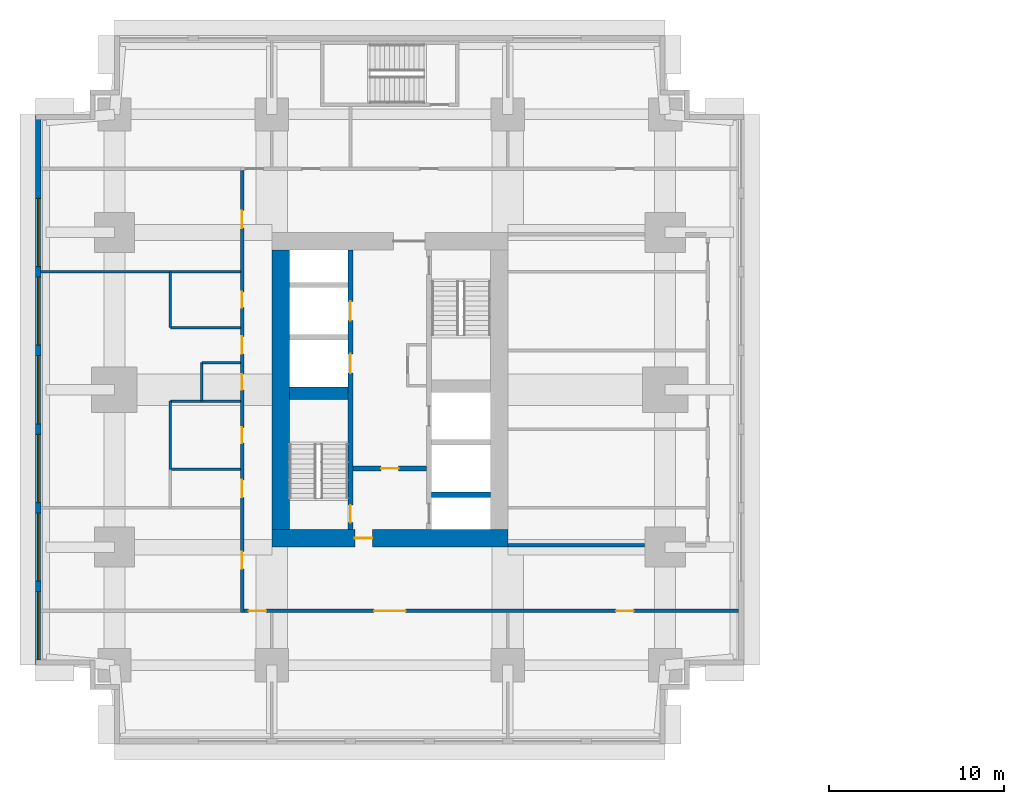
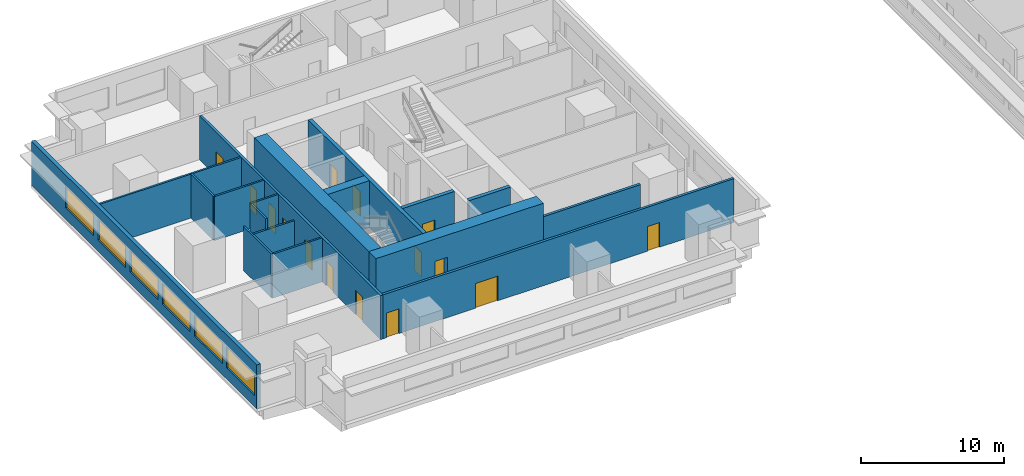
# One storey, part 3 of 11: 18 walls, 15 doors, 6 windows, 21 openings.
"""IFC4 building model written with IfcOpenShell, lengths in metres."""

import ifcopenshell
import ifcopenshell.guid

model = None  # the IFC model being written
_history = None  # IfcOwnerHistory: only IFC2X3 demands one
_inside = {}  # id of a spatial element -> (the spatial element, [elements in it])
_under = {}  # id of a project, library or spatial element -> (it, [spatial elements below it])
_declared = {}  # id of a project -> (the project, [libraries it declares])
_typed = {}  # id of a type object -> (the type object, [elements of that type])
_made_of = {}  # id of a material, layer set ... -> (it, [elements and type objects made of it])


def new_model(schema):
    """Start an empty IFC model of exactly this schema.

    Asked for "IFC4X3", IfcOpenShell would pick the latest addendum, in which some entities
    have other attributes; the version numbers below select the first issue.
    IFC2X3 requires an IfcOwnerHistory on every rooted entity: one is made here for all.
    """
    global model, _history
    if schema == "IFC4X3":
        model = ifcopenshell.file(schema_version=(4, 3, 0, 0))
    else:
        model = ifcopenshell.file(schema=schema)
    _inside.clear()
    _under.clear()
    _declared.clear()
    _typed.clear()
    _made_of.clear()
    _history = None
    if model.schema == "IFC2X3":
        org = make("IfcOrganization", Name="unknown")
        user = make(
            "IfcPersonAndOrganization",
            ThePerson=make("IfcPerson", FamilyName="unknown"),
            TheOrganization=org,
        )
        app = make(
            "IfcApplication",
            ApplicationDeveloper=org,
            Version="unknown",
            ApplicationFullName="unknown",
            ApplicationIdentifier="unknown",
        )
        _history = make(
            "IfcOwnerHistory",
            OwningUser=user,
            OwningApplication=app,
            ChangeAction="ADDED",
            CreationDate=0,
        )
    return model


def make(cls, **values):
    """One entity of the class cls with the attributes given. An attribute that is None is left unset."""
    return model.create_entity(
        cls, **{name: value for name, value in values.items() if value is not None}
    )


def rooted(cls, **values):
    """An entity with a GlobalId (a new one), such as an element, a storey or a relation."""
    return make(cls, GlobalId=ifcopenshell.guid.new(), OwnerHistory=_history, **values)


def si_unit(unit_type, name, prefix=None):
    """IfcSIUnit, for example si_unit("LENGTHUNIT", "METRE", prefix="MILLI")."""
    return make("IfcSIUnit", UnitType=unit_type, Prefix=prefix, Name=name)


def assignment(units):
    """IfcUnitAssignment: the units of a project."""
    return None if units is None else make("IfcUnitAssignment", Units=units)


def point(xyz):
    """IfcCartesianPoint."""
    return None if xyz is None else make("IfcCartesianPoint", Coordinates=xyz)


def direction(xyz):
    """IfcDirection."""
    return None if xyz is None else make("IfcDirection", DirectionRatios=xyz)


def frame(location, z_axis=None, x_axis=None):
    """IfcAxis2Placement3D, a coordinate frame: its origin and axes. An axis left out is left unset."""
    return make(
        "IfcAxis2Placement3D",
        Location=point(location),
        Axis=direction(z_axis),
        RefDirection=direction(x_axis),
    )


def frame_2d(location, x_axis=None):
    """IfcAxis2Placement2D, a coordinate frame in the plane: its origin and x axis."""
    return make(
        "IfcAxis2Placement2D", Location=point(location), RefDirection=direction(x_axis)
    )


def origin():
    """The frame at (0, 0, 0) with its axes left unset."""
    return frame((0.0, 0.0, 0.0))


def place(relative_to, where):
    """IfcLocalPlacement: puts the frame where relative to a parent placement (None: the world)."""
    return make(
        "IfcLocalPlacement", PlacementRelTo=relative_to, RelativePlacement=where
    )


def context(
    kind, dimensions, precision=None, world=None, true_north=None, identifier=None
):
    """IfcGeometricRepresentationContext, for example the 3D "Model" context."""
    return make(
        "IfcGeometricRepresentationContext",
        ContextIdentifier=identifier,
        ContextType=kind,
        CoordinateSpaceDimension=dimensions,
        Precision=precision,
        WorldCoordinateSystem=world,
        TrueNorth=true_north,
    )


def subcontext(parent, identifier, kind, view, scale=None):
    """IfcGeometricRepresentationSubContext, for example "Body" below "Model"."""
    return make(
        "IfcGeometricRepresentationSubContext",
        ContextIdentifier=identifier,
        ContextType=kind,
        ParentContext=parent,
        TargetScale=scale,
        TargetView=view,
    )


def project(units=None, contexts=None):
    """IfcProject with its units and contexts."""
    return rooted(
        "IfcProject",
        Name="project",
        RepresentationContexts=contexts,
        UnitsInContext=assignment(units),
    )


def spatial(cls, under=None, at=None, **own):
    """A site, building, storey or space (cls), placed at a placement, below another one or the project."""
    s = rooted(cls, ObjectPlacement=at, **own)
    if under is not None:
        _under.setdefault(under.id(), (under, []))[1].append(s)
    return s


def profile(cls, at=None, kind="AREA", **sizes):
    """A parametric profile (cls). Its sizes go by their IFC names, for example OverallWidth=200.0."""
    return make(cls, ProfileType=kind, Position=at, **sizes)


def rectangle(**sizes):
    """IfcRectangleProfileDef."""
    return profile("IfcRectangleProfileDef", **sizes)


def extrude(swept, where, along, depth):
    """IfcExtrudedAreaSolid: the profile swept, set in the frame where, extruded along a direction by depth."""
    return make(
        "IfcExtrudedAreaSolid",
        SweptArea=swept,
        Position=where,
        ExtrudedDirection=direction(along),
        Depth=depth,
    )


def shape(context_of_items, identifier, shape_type, items):
    """IfcShapeRepresentation: the items that make up one representation, for example the "Body"."""
    return make(
        "IfcShapeRepresentation",
        ContextOfItems=context_of_items,
        RepresentationIdentifier=identifier,
        RepresentationType=shape_type,
        Items=items,
    )


def material(Name=None, Category=None):
    """IfcMaterial."""
    return make("IfcMaterial", Name=Name, Category=Category)


def layer(
    of_material, thickness, ventilated=None, Name=None, Category=None, Priority=None
):
    """IfcMaterialLayer: one layer of a wall or slab, of a material (None: an air gap)."""
    return make(
        "IfcMaterialLayer",
        Material=of_material,
        LayerThickness=thickness,
        IsVentilated=ventilated,
        Name=Name,
        Category=Category,
        Priority=Priority,
    )


def layer_set(layers, Name=None):
    """IfcMaterialLayerSet."""
    return make("IfcMaterialLayerSet", MaterialLayers=layers, LayerSetName=Name)


def made_of(thing, what):
    """Note that an element or type object is made of a material, layer set ...; save() writes the relation."""
    if what is not None:
        _made_of.setdefault(what.id(), (what, []))[1].append(thing)
    return thing


def type_object(cls, material=None, **own):
    """A type object (cls), such as IfcWallType, which elements share."""
    return made_of(rooted(cls, **own), material)


def element(
    cls,
    number,
    at=None,
    inside=None,
    cuts=None,
    type_object=None,
    material=None,
    context=None,
    identifier="Body",
    shape_type=None,
    held_by="IfcProductDefinitionShape",
    body=None,
    shapes=None,
    **own,
):
    """One element of the class cls, such as IfcWall. Its Tag is "e" and its number.

    at: its placement. inside: the storey or other place that contains it. cuts: it is an
    opening in that element (IfcRelVoidsElement). A single representation is given by context,
    identifier, shape_type and body (its items); several are given by shapes. held_by: the class
    of the entity that holds the representations. save() writes the other relations.
    """
    e = rooted(cls, Tag="e%d" % number, ObjectPlacement=at, **own)
    if body is not None:
        shapes = [shape(context, identifier, shape_type, body)]
    if shapes is not None:
        e.Representation = make(held_by, Representations=shapes)
    if inside is not None:
        _inside.setdefault(inside.id(), (inside, []))[1].append(e)
    if cuts is not None:
        rooted(
            "IfcRelVoidsElement", RelatingBuildingElement=cuts, RelatedOpeningElement=e
        )
    if type_object is not None:
        _typed.setdefault(type_object.id(), (type_object, []))[1].append(e)
    return made_of(e, material)


def fill(opening, filler):
    """IfcRelFillsElement: the door or window that sits in an opening."""
    return rooted(
        "IfcRelFillsElement",
        RelatingOpeningElement=opening,
        RelatedBuildingElement=filler,
    )


def aggregate(whole, parts):
    """IfcRelAggregates: a whole, such as a stair, and the parts it consists of."""
    return rooted("IfcRelAggregates", RelatingObject=whole, RelatedObjects=parts)


def save(model, path):
    """Write the relations noted so far, then the file.

    IfcRelAggregates (storeys below a building ...), IfcRelContainedInSpatialStructure (elements
    in a storey), IfcRelDefinesByType, IfcRelAssociatesMaterial and IfcRelDeclares: one each for
    every whole, place, type object, material and project.
    """
    for whole, parts in _under.values():
        aggregate(whole, parts)
    for where, things in _inside.values():
        rooted(
            "IfcRelContainedInSpatialStructure",
            RelatedElements=things,
            RelatingStructure=where,
        )
    for kind, things in _typed.values():
        rooted("IfcRelDefinesByType", RelatedObjects=things, RelatingType=kind)
    for what, things in _made_of.values():
        rooted("IfcRelAssociatesMaterial", RelatedObjects=things, RelatingMaterial=what)
    for by, libraries in _declared.values():
        rooted("IfcRelDeclares", RelatingContext=by, RelatedDefinitions=libraries)
    model.write(path)


model = new_model("IFC4")

# Units and contexts
model_context = context("Model", 3, precision=1e-05, world=origin(), true_north=direction((0.0, 1.0)))
body_context = subcontext(model_context, "Body", "Model", "MODEL_VIEW")
ifc_project = project(units=[si_unit("LENGTHUNIT", "METRE"), si_unit("AREAUNIT", "SQUARE_METRE"), si_unit("VOLUMEUNIT", "CUBIC_METRE"), si_unit("PLANEANGLEUNIT", "RADIAN"), si_unit("MASSUNIT", "GRAM", prefix="KILO")], contexts=[model_context])

# Site, building, storey
site_placement = place(None, origin())
site = spatial("IfcSite", under=ifc_project, at=site_placement, CompositionType="ELEMENT")
building_placement = place(site_placement, origin())
building = spatial("IfcBuilding", under=site, at=building_placement, Name="Namib Vertical Campus", CompositionType="ELEMENT")
storey_placement = place(building_placement, frame((0.0, 0.0, 93.0)))
storey = spatial("IfcBuildingStorey", under=building, at=storey_placement, Name="L21", CompositionType="ELEMENT", Elevation=93.0)

# Wall, openings, doors
ifc_material_1 = material(Name="Concrete C60/75", Category="concrete")
ifc_layer_1 = layer(ifc_material_1, 0.300048828125)
ifc_layer_set_1 = layer_set([ifc_layer_1], Name="Concrete C60/75")
wall_type_1 = type_object("IfcWallType", Name="Core inner wall 300", PredefinedType="SHEAR", material=ifc_layer_set_1)
wall_1_placement = place(storey_placement, frame((18.0, 12.25, 0.0), z_axis=(0.0, 0.0, 1.0), x_axis=(0.0, 1.0, 0.0)))
wall_1 = element("IfcWall", 1, at=wall_1_placement, inside=storey, type_object=wall_type_1, Name="Core inner wall A L21 W1", PredefinedType="SHEAR", context=body_context, shape_type="SweptSolid", body=[
    extrude(rectangle(XDim=16.0, YDim=0.300048828125, at=frame_2d((8.0, 0.0))), origin(), (0.0, 0.0, 1.0), 4.0),
])
opening_1_placement = place(wall_1_placement, frame((0.39990234375, 0.0, 0.0)))
opening_1 = element("IfcOpeningElement", 2, at=opening_1_placement, cuts=wall_1, Name="Opening FD1", PredefinedType="OPENING", context=body_context, shape_type="SweptSolid", body=[
    extrude(rectangle(XDim=1.0, YDim=2.10009765625, at=frame_2d((0.5, 1.050048828125))), frame((0.0, 0.159912109375, 0.0), z_axis=(0.0, -1.0, 0.0), x_axis=(1.0, 0.0, 0.0)), (0.0, 0.0, 1.0), 0.320068359375),
])
opening_2_placement = place(wall_1_placement, frame((8.949951171875, 0.0, 0.0)))
opening_2 = element("IfcOpeningElement", 3, at=opening_2_placement, cuts=wall_1, Name="Opening LD1", PredefinedType="OPENING", context=body_context, shape_type="SweptSolid", body=[
    extrude(rectangle(XDim=1.10009765625, YDim=2.10009765625, at=frame_2d((0.550048828125, 1.050048828125))), frame((0.0, 0.159912109375, 0.0), z_axis=(0.0, -1.0, 0.0), x_axis=(1.0, 0.0, 0.0)), (0.0, 0.0, 1.0), 0.320068359375),
])
opening_3_placement = place(wall_1_placement, frame((11.949951171875, 0.0, 0.0)))
opening_3 = element("IfcOpeningElement", 4, at=opening_3_placement, cuts=wall_1, Name="Opening LD1", PredefinedType="OPENING", context=body_context, shape_type="SweptSolid", body=[
    extrude(rectangle(XDim=1.10009765625, YDim=2.10009765625, at=frame_2d((0.550048828125, 1.050048828125))), frame((0.0, 0.159912109375, 0.0), z_axis=(0.0, -1.0, 0.0), x_axis=(1.0, 0.0, 0.0)), (0.0, 0.0, 1.0), 0.320068359375),
])
ifc_material_2 = material(Name="Steel fire door", Category="steel")
door_type_1 = type_object("IfcDoorType", Name="Fire door 1000x2100", OperationType="SINGLE_SWING_RIGHT", PredefinedType="DOOR", material=ifc_material_2)
door_1_placement = place(opening_1_placement, origin())
door_1 = element("IfcDoor", 5, at=door_1_placement, inside=storey, type_object=door_type_1, Name="Stair door FD1 A L21 S1", OperationType="SINGLE_SWING_LEFT", OverallHeight=2.10009765625, OverallWidth=1.0, PredefinedType="DOOR", context=body_context, shape_type="SweptSolid", body=[
    extrude(rectangle(XDim=1.0, YDim=2.10009765625, at=frame_2d((0.5, 1.050048828125))), frame((0.0, 0.02490234375, 0.0), z_axis=(0.0, -1.0, 0.0), x_axis=(1.0, 0.0, 0.0)), (0.0, 0.0, 1.0), 0.050048828125),
])
fill(opening_1, door_1)
ifc_material_3 = material(Name="Stainless steel lift door", Category="steel")
door_type_2 = type_object("IfcDoorType", Name="Lift landing door 1100x2100", OperationType="DOUBLE_DOOR_SLIDING", PredefinedType="DOOR", material=ifc_material_3)
door_2_placement = place(opening_2_placement, origin())
door_2 = element("IfcDoor", 6, at=door_2_placement, inside=storey, type_object=door_type_2, Name="Lift landing door LD1 A-P1 L21", OperationType="DOUBLE_DOOR_SLIDING", OverallHeight=2.10009765625, OverallWidth=1.10009765625, PredefinedType="DOOR", context=body_context, shape_type="SweptSolid", body=[
    extrude(rectangle(XDim=1.10009765625, YDim=2.10009765625, at=frame_2d((0.550048828125, 1.050048828125))), frame((0.0, 0.02490234375, 0.0), z_axis=(0.0, -1.0, 0.0), x_axis=(1.0, 0.0, 0.0)), (0.0, 0.0, 1.0), 0.050048828125),
])
fill(opening_2, door_2)
door_3_placement = place(opening_3_placement, origin())
door_3 = element("IfcDoor", 7, at=door_3_placement, inside=storey, type_object=door_type_2, Name="Lift landing door LD1 A-P2 L21", OperationType="DOUBLE_DOOR_SLIDING", OverallHeight=2.10009765625, OverallWidth=1.10009765625, PredefinedType="DOOR", context=body_context, shape_type="SweptSolid", body=[
    extrude(rectangle(XDim=1.10009765625, YDim=2.10009765625, at=frame_2d((0.550048828125, 1.050048828125))), frame((0.0, 0.02490234375, 0.0), z_axis=(0.0, -1.0, 0.0), x_axis=(1.0, 0.0, 0.0)), (0.0, 0.0, 1.0), 0.050048828125),
])
fill(opening_3, door_3)

# Wall, opening, door
wall_2_placement = place(storey_placement, frame((18.14990234375, 15.75, 0.0), z_axis=(0.0, 0.0, 1.0), x_axis=(1.0, 0.0, 0.0)))
wall_2 = element("IfcWall", 8, at=wall_2_placement, inside=storey, type_object=wall_type_1, Name="Core inner wall A L21 W4", PredefinedType="SHEAR", context=body_context, shape_type="SweptSolid", body=[
    extrude(rectangle(XDim=4.2001953125, YDim=0.300048828125, at=frame_2d((2.10009765625, 0.0))), origin(), (0.0, 0.0, 1.0), 4.0),
])
opening_4_placement = place(wall_2_placement, frame((1.60009765625, 0.0, 0.0)))
opening_4 = element("IfcOpeningElement", 9, at=opening_4_placement, cuts=wall_2, Name="Opening FD5", PredefinedType="OPENING", context=body_context, shape_type="SweptSolid", body=[
    extrude(rectangle(XDim=1.0, YDim=2.10009765625, at=frame_2d((0.5, 1.050048828125))), frame((0.0, 0.159912109375, 0.0), z_axis=(0.0, -1.0, 0.0), x_axis=(1.0, 0.0, 0.0)), (0.0, 0.0, 1.0), 0.320068359375),
])
ifc_material_4 = material(Name="Steel fire door", Category="steel")
door_type_3 = type_object("IfcDoorType", Name="Fire door 1000x2100 120 min", OperationType="SINGLE_SWING_RIGHT", PredefinedType="DOOR", material=ifc_material_4)
door_4_placement = place(opening_4_placement, frame((1.0, 0.0, 0.0), z_axis=(0.0, 0.0, 1.0), x_axis=(-1.0, 0.0, 0.0)))
door_4 = element("IfcDoor", 10, at=door_4_placement, inside=storey, type_object=door_type_3, Name="Lobby door FD5 A L21", OperationType="SINGLE_SWING_RIGHT", OverallHeight=2.10009765625, OverallWidth=1.0, PredefinedType="DOOR", context=body_context, shape_type="SweptSolid", body=[
    extrude(rectangle(XDim=1.0, YDim=2.10009765625, at=frame_2d((0.5, 1.050048828125))), frame((0.0, 0.02490234375, 0.0), z_axis=(0.0, -1.0, 0.0), x_axis=(1.0, 0.0, 0.0)), (0.0, 0.0, 1.0), 0.050048828125),
])
fill(opening_4, door_4)

# Walls
wall_3_placement = place(storey_placement, frame((22.64990234375, 14.25, 0.0), z_axis=(0.0, 0.0, 1.0), x_axis=(1.0, 0.0, 0.0)))
element("IfcWall", 11, at=wall_3_placement, inside=storey, type_object=wall_type_1, Name="Core inner wall A L21 W5", PredefinedType="SHEAR", context=body_context, shape_type="SweptSolid", body=[
    extrude(rectangle(XDim=3.35009765625, YDim=0.300048828125, at=frame_2d((1.675048828125, 0.0))), origin(), (0.0, 0.0, 1.0), 4.0),
])
ifc_material_5 = material(Name="Concrete C60/75", Category="concrete")
ifc_layer_2 = layer(ifc_material_5, 0.699951171875)
ifc_layer_set_2 = layer_set([ifc_layer_2], Name="Concrete C60/75")
wall_type_2 = type_object("IfcWallType", Name="Core shear wall 700", PredefinedType="SHEAR", material=ifc_layer_set_2)
wall_4_placement = place(storey_placement, frame((14.5, 20.050048828125, 0.0), z_axis=(0.0, 0.0, 1.0), x_axis=(1.0, 0.0, 0.0)))
element("IfcWall", 12, at=wall_4_placement, inside=storey, type_object=wall_type_2, Name="Core shear wall A L21 W3", PredefinedType="SHEAR", context=body_context, shape_type="SweptSolid", body=[
    extrude(rectangle(XDim=3.35009765625, YDim=0.699951171875, at=frame_2d((1.675048828125, 0.0))), origin(), (0.0, 0.0, 1.0), 4.0),
])

# Wall, opening, door
ifc_material_6 = material(Name="Concrete C60/75", Category="concrete")
ifc_layer_3 = layer(ifc_material_6, 1.0)
ifc_layer_set_3 = layer_set([ifc_layer_3], Name="Concrete C60/75")
wall_type_3 = type_object("IfcWallType", Name="Core wall 1000", PredefinedType="SHEAR", material=ifc_layer_set_3)
wall_5_placement = place(storey_placement, frame((13.5, 11.75, 0.0), z_axis=(0.0, 0.0, 1.0), x_axis=(1.0, 0.0, 0.0)))
wall_5 = element("IfcWall", 13, at=wall_5_placement, inside=storey, type_object=wall_type_3, Name="Core wall A L21 1", PredefinedType="SHEAR", context=body_context, shape_type="SweptSolid", body=[
    extrude(rectangle(XDim=13.5, YDim=1.0, at=frame_2d((6.75, 0.0))), origin(), (0.0, 0.0, 1.0), 4.0),
])
opening_5_placement = place(wall_5_placement, frame((4.75, 0.0, 0.0)))
opening_5 = element("IfcOpeningElement", 14, at=opening_5_placement, cuts=wall_5, Name="Opening FD5", PredefinedType="OPENING", context=body_context, shape_type="SweptSolid", body=[
    extrude(rectangle(XDim=1.0, YDim=2.10009765625, at=frame_2d((0.5, 1.050048828125))), frame((0.0, 0.510009765625, 0.0), z_axis=(0.0, -1.0, 0.0), x_axis=(1.0, 0.0, 0.0)), (0.0, 0.0, 1.0), 1.02001953125),
])
door_5_placement = place(opening_5_placement, origin())
door_5 = element("IfcDoor", 15, at=door_5_placement, inside=storey, type_object=door_type_3, Name="Firefighting lobby door FD5 A L21", OperationType="SINGLE_SWING_LEFT", OverallHeight=2.10009765625, OverallWidth=1.0, PredefinedType="DOOR", context=body_context, shape_type="SweptSolid", body=[
    extrude(rectangle(XDim=1.0, YDim=2.10009765625, at=frame_2d((0.5, 1.050048828125))), frame((0.0, 0.02490234375, 0.0), z_axis=(0.0, -1.0, 0.0), x_axis=(1.0, 0.0, 0.0)), (0.0, 0.0, 1.0), 0.050048828125),
])
fill(opening_5, door_5)

# Wall
wall_6_placement = place(storey_placement, frame((14.0, 28.25, 0.0), z_axis=(0.0, 0.0, 1.0), x_axis=(0.0, -1.0, 0.0)))
element("IfcWall", 16, at=wall_6_placement, inside=storey, type_object=wall_type_3, Name="Core wall A L21 4", PredefinedType="SHEAR", context=body_context, shape_type="SweptSolid", body=[
    extrude(rectangle(XDim=16.0, YDim=1.0, at=frame_2d((8.0, 0.0))), origin(), (0.0, 0.0, 1.0), 4.0),
])

# Wall, openings, doors
ifc_material_7 = material(Name="Concrete masonry", Category="masonry")
ifc_layer_4 = layer(ifc_material_7, 0.199951171875)
ifc_layer_set_4 = layer_set([ifc_layer_4], Name="Corridor wall 200")
wall_type_4 = type_object("IfcWallType", Name="Corridor wall 200", PredefinedType="SOLIDWALL", material=ifc_layer_set_4)
wall_7_placement = place(storey_placement, frame((11.89990234375, 7.60009765625, 0.0), z_axis=(0.0, 0.0, 1.0), x_axis=(1.0, 0.0, 0.0)))
wall_7 = element("IfcWall", 17, at=wall_7_placement, inside=storey, type_object=wall_type_4, Name="Corridor wall A L21 CS", PredefinedType="SOLIDWALL", context=body_context, shape_type="SweptSolid", body=[
    extrude(rectangle(XDim=28.300048828125, YDim=0.199951171875, at=frame_2d((14.14990234375, 0.0))), origin(), (0.0, 0.0, 1.0), 3.75),
])
opening_6_placement = place(wall_7_placement, frame((0.27490234375, 0.0, 0.0)))
opening_6 = element("IfcOpeningElement", 18, at=opening_6_placement, cuts=wall_7, Name="Opening CD1", PredefinedType="OPENING", context=body_context, shape_type="SweptSolid", body=[
    extrude(rectangle(XDim=1.0, YDim=2.10009765625, at=frame_2d((0.5, 1.050048828125))), frame((0.0, 0.10986328125, 0.0), z_axis=(0.0, -1.0, 0.0), x_axis=(1.0, 0.0, 0.0)), (0.0, 0.0, 1.0), 0.219970703125),
])
opening_7_placement = place(wall_7_placement, frame((7.449951171875, 0.0, 0.0)))
opening_7 = element("IfcOpeningElement", 19, at=opening_7_placement, cuts=wall_7, Name="Opening CD2", PredefinedType="OPENING", context=body_context, shape_type="SweptSolid", body=[
    extrude(rectangle(XDim=1.800048828125, YDim=2.10009765625, at=frame_2d((0.89990234375, 1.050048828125))), frame((0.0, 0.10986328125, 0.0), z_axis=(0.0, -1.0, 0.0), x_axis=(1.0, 0.0, 0.0)), (0.0, 0.0, 1.0), 0.219970703125),
])
opening_8_placement = place(wall_7_placement, frame((21.300048828125, 0.0, 0.0)))
opening_8 = element("IfcOpeningElement", 20, at=opening_8_placement, cuts=wall_7, Name="Opening CD1", PredefinedType="OPENING", context=body_context, shape_type="SweptSolid", body=[
    extrude(rectangle(XDim=1.0, YDim=2.10009765625, at=frame_2d((0.5, 1.050048828125))), frame((0.0, 0.10986328125, 0.0), z_axis=(0.0, -1.0, 0.0), x_axis=(1.0, 0.0, 0.0)), (0.0, 0.0, 1.0), 0.219970703125),
])
ifc_material_8 = material(Name="Timber fire door leaf", Category="wood")
door_type_4 = type_object("IfcDoorType", Name="Corridor door 1000x2100 20 min", OperationType="SINGLE_SWING_LEFT", PredefinedType="DOOR", material=ifc_material_8)
door_6_placement = place(opening_6_placement, frame((1.0, 0.0, 0.0), z_axis=(0.0, 0.0, 1.0), x_axis=(-1.0, 0.0, 0.0)))
door_6 = element("IfcDoor", 21, at=door_6_placement, inside=storey, type_object=door_type_4, Name="Door CD1 A21-01", OperationType="SINGLE_SWING_LEFT", OverallHeight=2.10009765625, OverallWidth=1.0, PredefinedType="DOOR", context=body_context, shape_type="SweptSolid", body=[
    extrude(rectangle(XDim=1.0, YDim=2.10009765625, at=frame_2d((0.5, 1.050048828125))), frame((0.0, 0.02490234375, 0.0), z_axis=(0.0, -1.0, 0.0), x_axis=(1.0, 0.0, 0.0)), (0.0, 0.0, 1.0), 0.050048828125),
])
fill(opening_6, door_6)
door_7_placement = place(opening_8_placement, frame((1.0, 0.0, 0.0), z_axis=(0.0, 0.0, 1.0), x_axis=(-1.0, 0.0, 0.0)))
door_7 = element("IfcDoor", 22, at=door_7_placement, inside=storey, type_object=door_type_4, Name="Door CD1 A21-03", OperationType="SINGLE_SWING_RIGHT", OverallHeight=2.10009765625, OverallWidth=1.0, PredefinedType="DOOR", context=body_context, shape_type="SweptSolid", body=[
    extrude(rectangle(XDim=1.0, YDim=2.10009765625, at=frame_2d((0.5, 1.050048828125))), frame((0.0, 0.02490234375, 0.0), z_axis=(0.0, -1.0, 0.0), x_axis=(1.0, 0.0, 0.0)), (0.0, 0.0, 1.0), 0.050048828125),
])
fill(opening_8, door_7)
ifc_material_9 = material(Name="Timber fire door leaf", Category="wood")
door_type_5 = type_object("IfcDoorType", Name="Corridor door double 1800x2100 20 min", OperationType="DOUBLE_DOOR_SINGLE_SWING", PredefinedType="DOOR", material=ifc_material_9)
door_8_placement = place(opening_7_placement, frame((1.800048828125, 0.0, 0.0), z_axis=(0.0, 0.0, 1.0), x_axis=(-1.0, 0.0, 0.0)))
door_8 = element("IfcDoor", 23, at=door_8_placement, inside=storey, type_object=door_type_5, Name="Door CD2 A21-02", OperationType="DOUBLE_DOOR_SINGLE_SWING", OverallHeight=2.10009765625, OverallWidth=1.800048828125, PredefinedType="DOOR", context=body_context, shape_type="SweptSolid", body=[
    extrude(rectangle(XDim=1.800048828125, YDim=2.10009765625, at=frame_2d((0.89990234375, 1.050048828125))), frame((0.0, 0.02490234375, 0.0), z_axis=(0.0, -1.0, 0.0), x_axis=(1.0, 0.0, 0.0)), (0.0, 0.0, 1.0), 0.050048828125),
])
fill(opening_7, door_8)

wall_8_placement = place(storey_placement, frame((11.800048828125, 32.800048828125, 0.0), z_axis=(0.0, 0.0, 1.0), x_axis=(0.0, -1.0, 0.0)))
wall_8 = element("IfcWall", 24, at=wall_8_placement, inside=storey, type_object=wall_type_4, Name="Corridor wall A L21 CW", PredefinedType="SOLIDWALL", context=body_context, shape_type="SweptSolid", body=[
    extrude(rectangle(XDim=25.300048828125, YDim=0.199951171875, at=frame_2d((12.64990234375, 0.0))), origin(), (0.0, 0.0, 1.0), 3.75),
])
opening_9_placement = place(wall_8_placement, frame((21.800048828125, 0.0, 0.0)))
opening_9 = element("IfcOpeningElement", 25, at=opening_9_placement, cuts=wall_8, Name="Opening CD1", PredefinedType="OPENING", context=body_context, shape_type="SweptSolid", body=[
    extrude(rectangle(XDim=1.0, YDim=2.10009765625, at=frame_2d((0.5, 1.050048828125))), frame((0.0, 0.10986328125, 0.0), z_axis=(0.0, -1.0, 0.0), x_axis=(1.0, 0.0, 0.0)), (0.0, 0.0, 1.0), 0.219970703125),
])
opening_10_placement = place(wall_8_placement, frame((17.699951171875, 0.0, 0.0)))
opening_10 = element("IfcOpeningElement", 26, at=opening_10_placement, cuts=wall_8, Name="Opening CD1", PredefinedType="OPENING", context=body_context, shape_type="SweptSolid", body=[
    extrude(rectangle(XDim=1.0, YDim=2.10009765625, at=frame_2d((0.5, 1.050048828125))), frame((0.0, 0.10986328125, 0.0), z_axis=(0.0, -1.0, 0.0), x_axis=(1.0, 0.0, 0.0)), (0.0, 0.0, 1.0), 0.219970703125),
])
opening_11_placement = place(wall_8_placement, frame((14.699951171875, 0.0, 0.0)))
opening_11 = element("IfcOpeningElement", 27, at=opening_11_placement, cuts=wall_8, Name="Opening CD3", PredefinedType="OPENING", context=body_context, shape_type="SweptSolid", body=[
    extrude(rectangle(XDim=0.89990234375, YDim=2.10009765625, at=frame_2d((0.449951171875, 1.050048828125))), frame((0.0, 0.10986328125, 0.0), z_axis=(0.0, -1.0, 0.0), x_axis=(1.0, 0.0, 0.0)), (0.0, 0.0, 1.0), 0.219970703125),
])
opening_12_placement = place(wall_8_placement, frame((11.64990234375, 0.0, 0.0)))
opening_12 = element("IfcOpeningElement", 28, at=opening_12_placement, cuts=wall_8, Name="Opening CD3", PredefinedType="OPENING", context=body_context, shape_type="SweptSolid", body=[
    extrude(rectangle(XDim=0.89990234375, YDim=2.10009765625, at=frame_2d((0.449951171875, 1.050048828125))), frame((0.0, 0.10986328125, 0.0), z_axis=(0.0, -1.0, 0.0), x_axis=(1.0, 0.0, 0.0)), (0.0, 0.0, 1.0), 0.219970703125),
])
opening_13_placement = place(wall_8_placement, frame((6.949951171875, 0.0, 0.0)))
opening_13 = element("IfcOpeningElement", 29, at=opening_13_placement, cuts=wall_8, Name="Opening CD3", PredefinedType="OPENING", context=body_context, shape_type="SweptSolid", body=[
    extrude(rectangle(XDim=0.89990234375, YDim=2.10009765625, at=frame_2d((0.449951171875, 1.050048828125))), frame((0.0, 0.10986328125, 0.0), z_axis=(0.0, -1.0, 0.0), x_axis=(1.0, 0.0, 0.0)), (0.0, 0.0, 1.0), 0.219970703125),
])
opening_14_placement = place(wall_8_placement, frame((9.5, 0.0, 0.0)))
opening_14 = element("IfcOpeningElement", 30, at=opening_14_placement, cuts=wall_8, Name="Opening CD1", PredefinedType="OPENING", context=body_context, shape_type="SweptSolid", body=[
    extrude(rectangle(XDim=1.0, YDim=2.10009765625, at=frame_2d((0.5, 1.050048828125))), frame((0.0, 0.10986328125, 0.0), z_axis=(0.0, -1.0, 0.0), x_axis=(1.0, 0.0, 0.0)), (0.0, 0.0, 1.0), 0.219970703125),
])
opening_15_placement = place(wall_8_placement, frame((2.300048828125, 0.0, 0.0)))
opening_15 = element("IfcOpeningElement", 31, at=opening_15_placement, cuts=wall_8, Name="Opening CD1", PredefinedType="OPENING", context=body_context, shape_type="SweptSolid", body=[
    extrude(rectangle(XDim=1.0, YDim=2.10009765625, at=frame_2d((0.5, 1.050048828125))), frame((0.0, 0.10986328125, 0.0), z_axis=(0.0, -1.0, 0.0), x_axis=(1.0, 0.0, 0.0)), (0.0, 0.0, 1.0), 0.219970703125),
])
door_9_placement = place(opening_9_placement, frame((1.0, 0.0, 0.0), z_axis=(0.0, 0.0, 1.0), x_axis=(-1.0, 0.0, 0.0)))
door_9 = element("IfcDoor", 32, at=door_9_placement, inside=storey, type_object=door_type_4, Name="Door CD1 A21-13", OperationType="SINGLE_SWING_RIGHT", OverallHeight=2.10009765625, OverallWidth=1.0, PredefinedType="DOOR", context=body_context, shape_type="SweptSolid", body=[
    extrude(rectangle(XDim=1.0, YDim=2.10009765625, at=frame_2d((0.5, 1.050048828125))), frame((0.0, 0.02490234375, 0.0), z_axis=(0.0, -1.0, 0.0), x_axis=(1.0, 0.0, 0.0)), (0.0, 0.0, 1.0), 0.050048828125),
])
fill(opening_9, door_9)
door_10_placement = place(opening_10_placement, frame((1.0, 0.0, 0.0), z_axis=(0.0, 0.0, 1.0), x_axis=(-1.0, 0.0, 0.0)))
door_10 = element("IfcDoor", 33, at=door_10_placement, inside=storey, type_object=door_type_4, Name="Door CD1 A21-14", OperationType="SINGLE_SWING_RIGHT", OverallHeight=2.10009765625, OverallWidth=1.0, PredefinedType="DOOR", context=body_context, shape_type="SweptSolid", body=[
    extrude(rectangle(XDim=1.0, YDim=2.10009765625, at=frame_2d((0.5, 1.050048828125))), frame((0.0, 0.02490234375, 0.0), z_axis=(0.0, -1.0, 0.0), x_axis=(1.0, 0.0, 0.0)), (0.0, 0.0, 1.0), 0.050048828125),
])
fill(opening_10, door_10)
door_11_placement = place(opening_14_placement, frame((1.0, 0.0, 0.0), z_axis=(0.0, 0.0, 1.0), x_axis=(-1.0, 0.0, 0.0)))
door_11 = element("IfcDoor", 34, at=door_11_placement, inside=storey, type_object=door_type_4, Name="Door CD1 A21-18", OperationType="SINGLE_SWING_RIGHT", OverallHeight=2.10009765625, OverallWidth=1.0, PredefinedType="DOOR", context=body_context, shape_type="SweptSolid", body=[
    extrude(rectangle(XDim=1.0, YDim=2.10009765625, at=frame_2d((0.5, 1.050048828125))), frame((0.0, 0.02490234375, 0.0), z_axis=(0.0, -1.0, 0.0), x_axis=(1.0, 0.0, 0.0)), (0.0, 0.0, 1.0), 0.050048828125),
])
fill(opening_14, door_11)
door_12_placement = place(opening_15_placement, frame((1.0, 0.0, 0.0), z_axis=(0.0, 0.0, 1.0), x_axis=(-1.0, 0.0, 0.0)))
door_12 = element("IfcDoor", 35, at=door_12_placement, inside=storey, type_object=door_type_4, Name="Door CD1 A21-19", OperationType="SINGLE_SWING_RIGHT", OverallHeight=2.10009765625, OverallWidth=1.0, PredefinedType="DOOR", context=body_context, shape_type="SweptSolid", body=[
    extrude(rectangle(XDim=1.0, YDim=2.10009765625, at=frame_2d((0.5, 1.050048828125))), frame((0.0, 0.02490234375, 0.0), z_axis=(0.0, -1.0, 0.0), x_axis=(1.0, 0.0, 0.0)), (0.0, 0.0, 1.0), 0.050048828125),
])
fill(opening_15, door_12)
ifc_material_10 = material(Name="Timber fire door leaf", Category="wood")
door_type_6 = type_object("IfcDoorType", Name="Corridor toilet door 900x2100 20 min", OperationType="SINGLE_SWING_LEFT", PredefinedType="DOOR", material=ifc_material_10)
door_13_placement = place(opening_11_placement, frame((0.89990234375, 0.0, 0.0), z_axis=(0.0, 0.0, 1.0), x_axis=(-1.0, 0.0, 0.0)))
door_13 = element("IfcDoor", 36, at=door_13_placement, inside=storey, type_object=door_type_6, Name="Door CD3 A21-15", OperationType="SINGLE_SWING_RIGHT", OverallHeight=2.10009765625, OverallWidth=0.89990234375, PredefinedType="DOOR", context=body_context, shape_type="SweptSolid", body=[
    extrude(rectangle(XDim=0.89990234375, YDim=2.10009765625, at=frame_2d((0.449951171875, 1.050048828125))), frame((0.0, 0.02490234375, 0.0), z_axis=(0.0, -1.0, 0.0), x_axis=(1.0, 0.0, 0.0)), (0.0, 0.0, 1.0), 0.050048828125),
])
fill(opening_11, door_13)
door_14_placement = place(opening_12_placement, frame((0.89990234375, 0.0, 0.0), z_axis=(0.0, 0.0, 1.0), x_axis=(-1.0, 0.0, 0.0)))
door_14 = element("IfcDoor", 37, at=door_14_placement, inside=storey, type_object=door_type_6, Name="Door CD3 A21-16", OperationType="SINGLE_SWING_RIGHT", OverallHeight=2.10009765625, OverallWidth=0.89990234375, PredefinedType="DOOR", context=body_context, shape_type="SweptSolid", body=[
    extrude(rectangle(XDim=0.89990234375, YDim=2.10009765625, at=frame_2d((0.449951171875, 1.050048828125))), frame((0.0, 0.02490234375, 0.0), z_axis=(0.0, -1.0, 0.0), x_axis=(1.0, 0.0, 0.0)), (0.0, 0.0, 1.0), 0.050048828125),
])
fill(opening_12, door_14)
door_15_placement = place(opening_13_placement, frame((0.89990234375, 0.0, 0.0), z_axis=(0.0, 0.0, 1.0), x_axis=(-1.0, 0.0, 0.0)))
door_15 = element("IfcDoor", 38, at=door_15_placement, inside=storey, type_object=door_type_6, Name="Door CD3 A21-17", OperationType="SINGLE_SWING_RIGHT", OverallHeight=2.10009765625, OverallWidth=0.89990234375, PredefinedType="DOOR", context=body_context, shape_type="SweptSolid", body=[
    extrude(rectangle(XDim=0.89990234375, YDim=2.10009765625, at=frame_2d((0.449951171875, 1.050048828125))), frame((0.0, 0.02490234375, 0.0), z_axis=(0.0, -1.0, 0.0), x_axis=(1.0, 0.0, 0.0)), (0.0, 0.0, 1.0), 0.050048828125),
])
fill(opening_13, door_15)

# Wall
wall_9_placement = place(storey_placement, frame((27.0, 11.35009765625, 0.0), z_axis=(0.0, 0.0, 1.0), x_axis=(1.0, 0.0, 0.0)))
element("IfcWall", 39, at=wall_9_placement, inside=storey, type_object=wall_type_4, Name="Corridor wall A L21 GS", PredefinedType="SOLIDWALL", context=body_context, shape_type="SweptSolid", body=[
    extrude(rectangle(XDim=7.830078125, YDim=0.199951171875, at=frame_2d((3.9150390625, 0.0))), origin(), (0.0, 0.0, 1.0), 2.85009765625),
])

# Wall, openings, windows
ifc_material_11 = material(Name="Concrete C40/50", Category="concrete")
ifc_layer_5 = layer(ifc_material_11, 0.300048828125)
ifc_layer_set_5 = layer_set([ifc_layer_5], Name="Concrete C40/50")
wall_type_5 = type_object("IfcWallType", Name="External wall 300 board-marked concrete", PredefinedType="STANDARD", material=ifc_layer_set_5)
wall_10_placement = place(storey_placement, frame((0.14990234375, 35.97998046875, 0.0), z_axis=(0.0, 0.0, 1.0), x_axis=(0.0, -1.0, 0.0)))
wall_10 = element("IfcWall", 40, at=wall_10_placement, inside=storey, type_object=wall_type_5, Name="External wall L21 F16", PredefinedType="STANDARD", context=body_context, shape_type="SweptSolid", body=[
    extrude(rectangle(XDim=31.4599609375, YDim=0.300048828125, at=frame_2d((15.72998046875, 0.0))), origin(), (0.0, 0.0, 1.0), 3.75),
])
opening_16_placement = place(wall_10_placement, frame((27.280029296875, 0.0, 0.949951171875)))
opening_16 = element("IfcOpeningElement", 41, at=opening_16_placement, cuts=wall_10, Name="Opening W3", PredefinedType="OPENING", context=body_context, shape_type="SweptSolid", body=[
    extrude(rectangle(XDim=3.89990234375, YDim=1.800048828125, at=frame_2d((1.949951171875, 0.89990234375))), frame((0.0, 0.159912109375, 0.0), z_axis=(0.0, -1.0, 0.0), x_axis=(1.0, 0.0, 0.0)), (0.0, 0.0, 1.0), 0.320068359375),
])
opening_17_placement = place(wall_10_placement, frame((22.780029296875, 0.0, 0.949951171875)))
opening_17 = element("IfcOpeningElement", 42, at=opening_17_placement, cuts=wall_10, Name="Opening W3", PredefinedType="OPENING", context=body_context, shape_type="SweptSolid", body=[
    extrude(rectangle(XDim=3.89990234375, YDim=1.800048828125, at=frame_2d((1.949951171875, 0.89990234375))), frame((0.0, 0.159912109375, 0.0), z_axis=(0.0, -1.0, 0.0), x_axis=(1.0, 0.0, 0.0)), (0.0, 0.0, 1.0), 0.320068359375),
])
opening_18_placement = place(wall_10_placement, frame((18.280029296875, 0.0, 0.949951171875)))
opening_18 = element("IfcOpeningElement", 43, at=opening_18_placement, cuts=wall_10, Name="Opening W3", PredefinedType="OPENING", context=body_context, shape_type="SweptSolid", body=[
    extrude(rectangle(XDim=3.89990234375, YDim=1.800048828125, at=frame_2d((1.949951171875, 0.89990234375))), frame((0.0, 0.159912109375, 0.0), z_axis=(0.0, -1.0, 0.0), x_axis=(1.0, 0.0, 0.0)), (0.0, 0.0, 1.0), 0.320068359375),
])
opening_19_placement = place(wall_10_placement, frame((13.780029296875, 0.0, 0.949951171875)))
opening_19 = element("IfcOpeningElement", 44, at=opening_19_placement, cuts=wall_10, Name="Opening W3", PredefinedType="OPENING", context=body_context, shape_type="SweptSolid", body=[
    extrude(rectangle(XDim=3.89990234375, YDim=1.800048828125, at=frame_2d((1.949951171875, 0.89990234375))), frame((0.0, 0.159912109375, 0.0), z_axis=(0.0, -1.0, 0.0), x_axis=(1.0, 0.0, 0.0)), (0.0, 0.0, 1.0), 0.320068359375),
])
opening_20_placement = place(wall_10_placement, frame((9.280029296875, 0.0, 0.949951171875)))
opening_20 = element("IfcOpeningElement", 45, at=opening_20_placement, cuts=wall_10, Name="Opening W3", PredefinedType="OPENING", context=body_context, shape_type="SweptSolid", body=[
    extrude(rectangle(XDim=3.89990234375, YDim=1.800048828125, at=frame_2d((1.949951171875, 0.89990234375))), frame((0.0, 0.159912109375, 0.0), z_axis=(0.0, -1.0, 0.0), x_axis=(1.0, 0.0, 0.0)), (0.0, 0.0, 1.0), 0.320068359375),
])
opening_21_placement = place(wall_10_placement, frame((4.780029296875, 0.0, 0.949951171875)))
opening_21 = element("IfcOpeningElement", 46, at=opening_21_placement, cuts=wall_10, Name="Opening W3", PredefinedType="OPENING", context=body_context, shape_type="SweptSolid", body=[
    extrude(rectangle(XDim=3.89990234375, YDim=1.800048828125, at=frame_2d((1.949951171875, 0.89990234375))), frame((0.0, 0.159912109375, 0.0), z_axis=(0.0, -1.0, 0.0), x_axis=(1.0, 0.0, 0.0)), (0.0, 0.0, 1.0), 0.320068359375),
])
ifc_material_12 = material(Name="Dark tinted glass in black aluminium frame", Category="aluminium")
window_type = type_object("IfcWindowType", Name="Ribbon window 3900x1800", PartitioningType="SINGLE_PANEL", PredefinedType="WINDOW", material=ifc_material_12)
window_1_placement = place(opening_16_placement, origin())
window_1 = element("IfcWindow", 47, at=window_1_placement, inside=storey, type_object=window_type, Name="Window W3 L21 F16-1", OverallHeight=1.800048828125, OverallWidth=3.89990234375, PartitioningType="SINGLE_PANEL", PredefinedType="WINDOW", context=body_context, shape_type="SweptSolid", body=[
    extrude(rectangle(XDim=3.89990234375, YDim=1.800048828125, at=frame_2d((1.949951171875, 0.89990234375))), frame((0.0, 0.030029296875, 0.0), z_axis=(0.0, -1.0, 0.0), x_axis=(1.0, 0.0, 0.0)), (0.0, 0.0, 1.0), 0.06005859375),
])
fill(opening_16, window_1)
window_2_placement = place(opening_17_placement, origin())
window_2 = element("IfcWindow", 48, at=window_2_placement, inside=storey, type_object=window_type, Name="Window W3 L21 F16-2", OverallHeight=1.800048828125, OverallWidth=3.89990234375, PartitioningType="SINGLE_PANEL", PredefinedType="WINDOW", context=body_context, shape_type="SweptSolid", body=[
    extrude(rectangle(XDim=3.89990234375, YDim=1.800048828125, at=frame_2d((1.949951171875, 0.89990234375))), frame((0.0, 0.030029296875, 0.0), z_axis=(0.0, -1.0, 0.0), x_axis=(1.0, 0.0, 0.0)), (0.0, 0.0, 1.0), 0.06005859375),
])
fill(opening_17, window_2)
window_3_placement = place(opening_18_placement, origin())
window_3 = element("IfcWindow", 49, at=window_3_placement, inside=storey, type_object=window_type, Name="Window W3 L21 F16-3", OverallHeight=1.800048828125, OverallWidth=3.89990234375, PartitioningType="SINGLE_PANEL", PredefinedType="WINDOW", context=body_context, shape_type="SweptSolid", body=[
    extrude(rectangle(XDim=3.89990234375, YDim=1.800048828125, at=frame_2d((1.949951171875, 0.89990234375))), frame((0.0, 0.030029296875, 0.0), z_axis=(0.0, -1.0, 0.0), x_axis=(1.0, 0.0, 0.0)), (0.0, 0.0, 1.0), 0.06005859375),
])
fill(opening_18, window_3)
window_4_placement = place(opening_19_placement, origin())
window_4 = element("IfcWindow", 50, at=window_4_placement, inside=storey, type_object=window_type, Name="Window W3 L21 F16-4", OverallHeight=1.800048828125, OverallWidth=3.89990234375, PartitioningType="SINGLE_PANEL", PredefinedType="WINDOW", context=body_context, shape_type="SweptSolid", body=[
    extrude(rectangle(XDim=3.89990234375, YDim=1.800048828125, at=frame_2d((1.949951171875, 0.89990234375))), frame((0.0, 0.030029296875, 0.0), z_axis=(0.0, -1.0, 0.0), x_axis=(1.0, 0.0, 0.0)), (0.0, 0.0, 1.0), 0.06005859375),
])
fill(opening_19, window_4)
window_5_placement = place(opening_20_placement, origin())
window_5 = element("IfcWindow", 51, at=window_5_placement, inside=storey, type_object=window_type, Name="Window W3 L21 F16-5", OverallHeight=1.800048828125, OverallWidth=3.89990234375, PartitioningType="SINGLE_PANEL", PredefinedType="WINDOW", context=body_context, shape_type="SweptSolid", body=[
    extrude(rectangle(XDim=3.89990234375, YDim=1.800048828125, at=frame_2d((1.949951171875, 0.89990234375))), frame((0.0, 0.030029296875, 0.0), z_axis=(0.0, -1.0, 0.0), x_axis=(1.0, 0.0, 0.0)), (0.0, 0.0, 1.0), 0.06005859375),
])
fill(opening_20, window_5)
window_6_placement = place(opening_21_placement, origin())
window_6 = element("IfcWindow", 52, at=window_6_placement, inside=storey, type_object=window_type, Name="Window W3 L21 F16-6", OverallHeight=1.800048828125, OverallWidth=3.89990234375, PartitioningType="SINGLE_PANEL", PredefinedType="WINDOW", context=body_context, shape_type="SweptSolid", body=[
    extrude(rectangle(XDim=3.89990234375, YDim=1.800048828125, at=frame_2d((1.949951171875, 0.89990234375))), frame((0.0, 0.030029296875, 0.0), z_axis=(0.0, -1.0, 0.0), x_axis=(1.0, 0.0, 0.0)), (0.0, 0.0, 1.0), 0.06005859375),
])
fill(opening_21, window_6)

# Walls
ifc_material_13 = material(Name="Gypsum board on steel studs", Category="steel")
ifc_layer_6 = layer(ifc_material_13, 0.14990234375)
ifc_layer_set_6 = layer_set([ifc_layer_6], Name="Gypsum board on steel studs")
wall_type_6 = type_object("IfcWallType", Name="Partition 150", PredefinedType="PARTITIONING", material=ifc_layer_set_6)
wall_11_placement = place(storey_placement, frame((0.300048828125, 27.0, 0.0), z_axis=(0.0, 0.0, 1.0), x_axis=(1.0, 0.0, 0.0)))
element("IfcWall", 53, at=wall_11_placement, inside=storey, type_object=wall_type_6, Name="Partition A L21 PW2", PredefinedType="PARTITIONING", context=body_context, shape_type="SweptSolid", body=[
    extrude(rectangle(XDim=11.39990234375, YDim=0.14990234375, at=frame_2d((5.699951171875, 0.0))), origin(), (0.0, 0.0, 1.0), 3.75),
])
wall_12_placement = place(storey_placement, frame((11.699951171875, 15.699951171875, 0.0), z_axis=(0.0, 0.0, 1.0), x_axis=(-1.0, 0.0, 0.0)))
element("IfcWall", 54, at=wall_12_placement, inside=storey, type_object=wall_type_6, Name="Partition A L21 WR1", PredefinedType="PARTITIONING", context=body_context, shape_type="SweptSolid", body=[
    extrude(rectangle(XDim=4.0, YDim=0.14990234375, at=frame_2d((2.0, 0.0))), origin(), (0.0, 0.0, 1.0), 3.75),
])
wall_13_placement = place(storey_placement, frame((11.699951171875, 19.60009765625, 0.0), z_axis=(0.0, 0.0, 1.0), x_axis=(-1.0, 0.0, 0.0)))
element("IfcWall", 55, at=wall_13_placement, inside=storey, type_object=wall_type_6, Name="Partition A L21 WR2", PredefinedType="PARTITIONING", context=body_context, shape_type="SweptSolid", body=[
    extrude(rectangle(XDim=4.0, YDim=0.14990234375, at=frame_2d((2.0, 0.0))), origin(), (0.0, 0.0, 1.0), 2.85009765625),
])
wall_14_placement = place(storey_placement, frame((11.699951171875, 21.800048828125, 0.0), z_axis=(0.0, 0.0, 1.0), x_axis=(-1.0, 0.0, 0.0)))
element("IfcWall", 56, at=wall_14_placement, inside=storey, type_object=wall_type_6, Name="Partition A L21 WR3", PredefinedType="PARTITIONING", context=body_context, shape_type="SweptSolid", body=[
    extrude(rectangle(XDim=2.199951171875, YDim=0.14990234375, at=frame_2d((1.10009765625, 0.0))), origin(), (0.0, 0.0, 1.0), 3.75),
])
wall_15_placement = place(storey_placement, frame((11.699951171875, 23.800048828125, 0.0), z_axis=(0.0, 0.0, 1.0), x_axis=(-1.0, 0.0, 0.0)))
element("IfcWall", 57, at=wall_15_placement, inside=storey, type_object=wall_type_6, Name="Partition A L21 WR4", PredefinedType="PARTITIONING", context=body_context, shape_type="SweptSolid", body=[
    extrude(rectangle(XDim=4.0, YDim=0.14990234375, at=frame_2d((2.0, 0.0))), origin(), (0.0, 0.0, 1.0), 3.75),
])
wall_16_placement = place(storey_placement, frame((7.699951171875, 15.699951171875, 0.0), z_axis=(0.0, 0.0, 1.0), x_axis=(0.0, 1.0, 0.0)))
element("IfcWall", 58, at=wall_16_placement, inside=storey, type_object=wall_type_6, Name="Partition A L21 WB2", PredefinedType="PARTITIONING", context=body_context, shape_type="SweptSolid", body=[
    extrude(rectangle(XDim=3.900146484375, YDim=0.14990234375, at=frame_2d((1.9501953125, 0.0))), origin(), (0.0, 0.0, 1.0), 3.75),
])
wall_17_placement = place(storey_placement, frame((9.5, 19.60009765625, 0.0), z_axis=(0.0, 0.0, 1.0), x_axis=(0.0, 1.0, 0.0)))
element("IfcWall", 59, at=wall_17_placement, inside=storey, type_object=wall_type_6, Name="Partition A L21 WB3", PredefinedType="PARTITIONING", context=body_context, shape_type="SweptSolid", body=[
    extrude(rectangle(XDim=2.199951171875, YDim=0.14990234375, at=frame_2d((1.10009765625, 0.0))), origin(), (0.0, 0.0, 1.0), 3.75),
])
wall_18_placement = place(storey_placement, frame((7.699951171875, 23.800048828125, 0.0), z_axis=(0.0, 0.0, 1.0), x_axis=(0.0, 1.0, 0.0)))
element("IfcWall", 60, at=wall_18_placement, inside=storey, type_object=wall_type_6, Name="Partition A L21 WB4", PredefinedType="PARTITIONING", context=body_context, shape_type="SweptSolid", body=[
    extrude(rectangle(XDim=3.199951171875, YDim=0.14990234375, at=frame_2d((1.60009765625, 0.0))), origin(), (0.0, 0.0, 1.0), 3.75),
])

save(model, "model.ifc")
